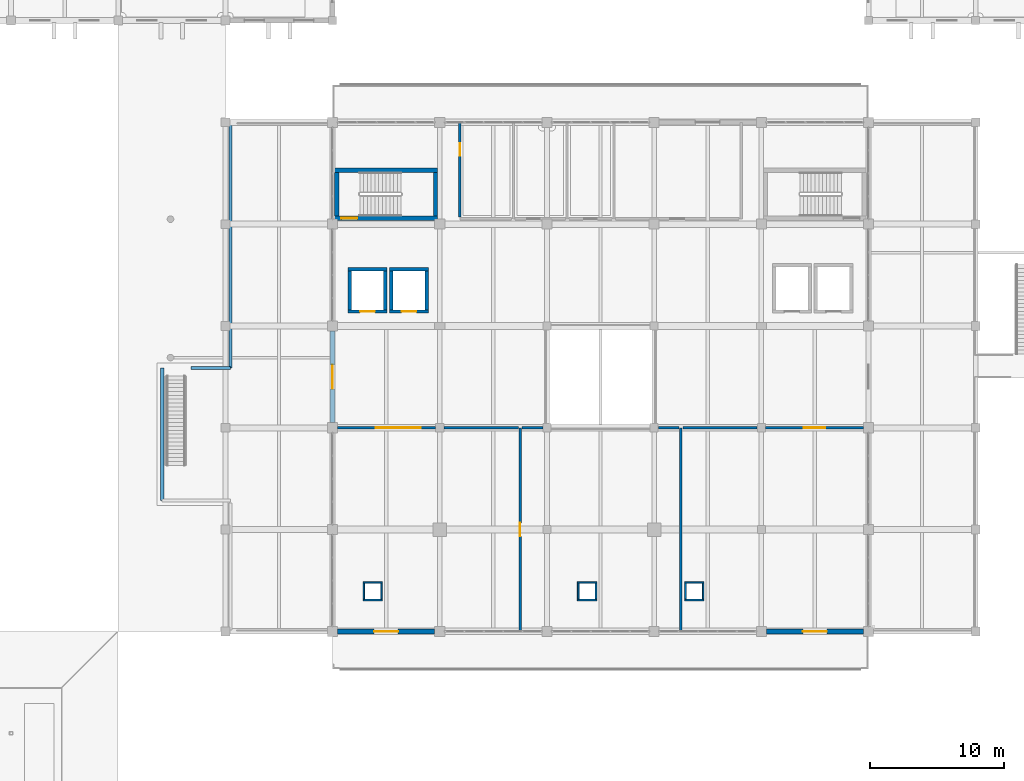
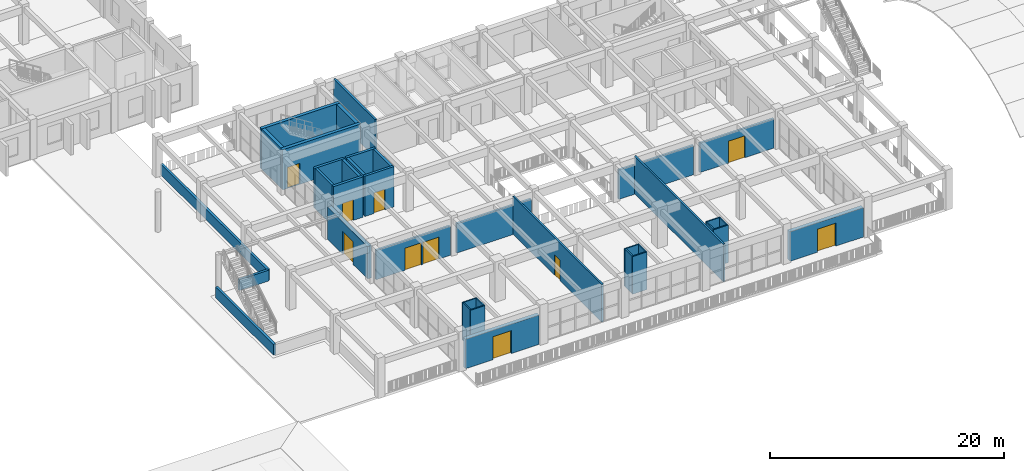
# One storey, part 36 of 63: 39 walls, 11 doors, 11 openings.
"""IFC4 building model written with IfcOpenShell, lengths in metres."""

from ifc_helpers import new_model, si_unit, direction, frame, frame_2d, origin, place, context, subcontext, project, spatial, rectangle, extrude, material, layer, layer_set, type_object, element, fill, save


model = new_model("IFC4")

# Units and contexts
model_context = context("Model", 3, precision=1e-05, world=origin(), true_north=direction((0.0, 1.0)))
body_context = subcontext(model_context, "Body", "Model", "MODEL_VIEW")
ifc_project = project(units=[si_unit("LENGTHUNIT", "METRE"), si_unit("AREAUNIT", "SQUARE_METRE"), si_unit("VOLUMEUNIT", "CUBIC_METRE"), si_unit("PLANEANGLEUNIT", "RADIAN"), si_unit("MASSUNIT", "GRAM", prefix="KILO")], contexts=[model_context])

# Site, building, storey
site_placement = place(None, origin())
site = spatial("IfcSite", under=ifc_project, at=site_placement, CompositionType="ELEMENT")
building_placement = place(site_placement, origin())
building = spatial("IfcBuilding", under=site, at=building_placement, Name="Zantavel Square City Hall", CompositionType="ELEMENT")
storey_placement = place(building_placement, frame((0.0, 0.0, 14.699951171875)))
storey = spatial("IfcBuildingStorey", under=building, at=storey_placement, Name="L04", CompositionType="ELEMENT", Elevation=14.699951171875)

# Walls
ifc_material_1 = material(Name="Cantera volcanic tuff stone", Category="masonry")
ifc_layer_1 = layer(ifc_material_1, 0.239990234375, Name="Cantera volcanic tuff stone")
ifc_layer_set_1 = layer_set([ifc_layer_1], Name="Cantera volcanic tuff stone")
wall_type_1 = type_object("IfcWallType", Name="Cantera Wing Roof Parapet 240mm", PredefinedType="PARAPET", material=ifc_layer_set_1)
wall_1_placement = place(storey_placement, frame((51.280029296875, 40.179931640625, 0.0), z_axis=(0.0, 0.0, 1.0), x_axis=(0.0, 1.0, 0.0)))
element("IfcWall", 1, at=wall_1_placement, inside=storey, type_object=wall_type_1, Name="L04 Roof Parapet Wall 11", PredefinedType="PARAPET", context=body_context, shape_type="SweptSolid", body=[
    extrude(rectangle(XDim=9.89013671875, YDim=0.239990234375, at=frame_2d((4.945068359375, 0.0))), origin(), (0.0, 0.0, 1.0), 1.1201171875),
])
wall_2_placement = place(storey_placement, frame((53.449951171875, 50.070068359375, 0.0), z_axis=(0.0, 0.0, 1.0), x_axis=(1.0, 0.0, 0.0)))
element("IfcWall", 2, at=wall_2_placement, inside=storey, type_object=wall_type_1, Name="L04 Roof Parapet Wall 12", PredefinedType="PARAPET", context=body_context, shape_type="SweptSolid", body=[
    extrude(rectangle(XDim=2.929931640625, YDim=0.239990234375, at=frame_2d((1.46484375, 0.0))), origin(), (0.0, 0.0, 1.0), 1.1201171875),
])
wall_3_placement = place(storey_placement, frame((56.3798828125, 50.070068359375, 0.0), z_axis=(0.0, 0.0, 1.0), x_axis=(0.0, 1.0, 0.0)))
element("IfcWall", 3, at=wall_3_placement, inside=storey, type_object=wall_type_1, Name="L04 Roof Parapet Wall 13", PredefinedType="PARAPET", context=body_context, shape_type="SweptSolid", body=[
    extrude(rectangle(XDim=18.2099609375, YDim=0.239990234375, at=frame_2d((9.10498046875, 0.0))), origin(), (0.0, 0.0, 1.0), 1.1201171875),
])

# Wall, opening, door
ifc_material_2 = material(Name="Concrete C40/50", Category="concrete")
ifc_layer_2 = layer(ifc_material_2, 0.320068359375, Name="Concrete C40/50")
ifc_layer_set_2 = layer_set([ifc_layer_2], Name="Concrete C40/50")
wall_type_2 = type_object("IfcWallType", Name="Core Shear Wall RC 320mm C40/50", PredefinedType="SHEAR", material=ifc_layer_set_2)
wall_4_placement = place(storey_placement, frame((71.85009765625, 61.239990234375, 0.0), z_axis=(0.0, 0.0, 1.0), x_axis=(-1.0, 0.0, 0.0)))
wall_4 = element("IfcWall", 4, at=wall_4_placement, inside=storey, type_object=wall_type_2, Name="L04 Exit Stair 5 Central West Core Shear Wall South", PredefinedType="SHEAR", context=body_context, shape_type="SweptSolid", body=[
    extrude(rectangle(XDim=7.7001953125, YDim=0.320068359375, at=frame_2d((3.85009765625, 0.0))), origin(), (0.0, 0.0, 1.0), 4.199951171875),
])
opening_1_placement = place(wall_4_placement, frame((6.0, 0.0, 0.0)))
opening_1 = element("IfcOpeningElement", 5, at=opening_1_placement, cuts=wall_4, Name="Opening SD-023", PredefinedType="OPENING", context=body_context, shape_type="SweptSolid", body=[
    extrude(rectangle(XDim=1.199951171875, YDim=2.199951171875, at=frame_2d((0.60009765625, 1.10009765625))), frame((0.0, 0.169921875, 0.0), z_axis=(0.0, -1.0, 0.0), x_axis=(1.0, 0.0, 0.0)), (0.0, 0.0, 1.0), 0.340087890625),
])
ifc_material_3 = material(Name="Steel ASTM A500 Grade B", Category="steel")
door_type_1 = type_object("IfcDoorType", Name="Enclosed Exit Stairwell Fire Door 1200x2200 FD90S", OperationType="NOTDEFINED", PredefinedType="DOOR", material=ifc_material_3)
door_1_placement = place(opening_1_placement, origin())
door_1 = element("IfcDoor", 6, at=door_1_placement, inside=storey, type_object=door_type_1, Name="L04 Exit Stair 5 Central West Core Fire Door", OperationType="SINGLE_SWING_LEFT", OverallHeight=2.199951171875, OverallWidth=1.199951171875, PredefinedType="DOOR", context=body_context, shape_type="SweptSolid", body=[
    extrude(rectangle(XDim=1.199951171875, YDim=2.199951171875, at=frame_2d((0.60009765625, 1.10009765625))), frame((0.0, 0.02490234375, 0.0), z_axis=(0.0, -1.0, 0.0), x_axis=(1.0, 0.0, 0.0)), (0.0, 0.0, 1.0), 0.050048828125),
])
fill(opening_1, door_1)

# Walls
wall_5_placement = place(storey_placement, frame((64.31005859375, 61.39990234375, 0.0), z_axis=(0.0, 0.0, 1.0), x_axis=(0.0, 1.0, 0.0)))
element("IfcWall", 7, at=wall_5_placement, inside=storey, type_object=wall_type_2, Name="L04 Exit Stair 5 Central West Core Shear Wall West", PredefinedType="SHEAR", context=body_context, shape_type="SweptSolid", body=[
    extrude(rectangle(XDim=3.27001953125, YDim=0.320068359375, at=frame_2d((1.635009765625, 0.0))), origin(), (0.0, 0.0, 1.0), 4.199951171875),
])
wall_6_placement = place(storey_placement, frame((64.14990234375, 64.830078125, 0.0), z_axis=(0.0, 0.0, 1.0), x_axis=(1.0, 0.0, 0.0)))
element("IfcWall", 8, at=wall_6_placement, inside=storey, type_object=wall_type_2, Name="L04 Exit Stair 5 Central West Core Shear Wall North", PredefinedType="SHEAR", context=body_context, shape_type="SweptSolid", body=[
    extrude(rectangle(XDim=7.7001953125, YDim=0.320068359375, at=frame_2d((3.85009765625, 0.0))), origin(), (0.0, 0.0, 1.0), 4.199951171875),
])
wall_7_placement = place(storey_placement, frame((71.68994140625, 64.669921875, 0.0), z_axis=(0.0, 0.0, 1.0), x_axis=(0.0, -1.0, 0.0)))
element("IfcWall", 9, at=wall_7_placement, inside=storey, type_object=wall_type_2, Name="L04 Exit Stair 5 Central West Core Shear Wall East", PredefinedType="SHEAR", context=body_context, shape_type="SweptSolid", body=[
    extrude(rectangle(XDim=3.27001953125, YDim=0.320068359375, at=frame_2d((1.635009765625, 0.0))), origin(), (0.0, 0.0, 1.0), 4.199951171875),
])

# Wall, opening, door
ifc_material_4 = material(Name="Gypsum acoustic stud assembly", Category="masonry")
ifc_layer_3 = layer(ifc_material_4, 0.179931640625, Name="Gypsum acoustic stud assembly")
ifc_layer_set_3 = layer_set([ifc_layer_3], Name="Gypsum acoustic stud assembly")
wall_type_3 = type_object("IfcWallType", Name="Council Acoustic Partition 180mm", PredefinedType="PARTITIONING", material=ifc_layer_set_3)
wall_8_placement = place(storey_placement, frame((78.0, 45.60009765625, 0.0), z_axis=(0.0, 0.0, 1.0), x_axis=(0.0, -1.0, 0.0)))
wall_8 = element("IfcWall", 10, at=wall_8_placement, inside=storey, type_object=wall_type_3, Name="L04 Interior Wall IW-L04-0313", PredefinedType="PARTITIONING", context=body_context, shape_type="SweptSolid", body=[
    extrude(rectangle(XDim=15.2001953125, YDim=0.179931640625, at=frame_2d((7.60009765625, 0.0))), origin(), (0.0, 0.0, 1.0), 3.929931640625),
])
opening_2_placement = place(wall_8_placement, frame((7.10009765625, 0.0, 0.0)))
opening_2 = element("IfcOpeningElement", 11, at=opening_2_placement, cuts=wall_8, Name="Opening D-0153", PredefinedType="OPENING", context=body_context, shape_type="SweptSolid", body=[
    extrude(rectangle(XDim=1.0, YDim=2.14990234375, at=frame_2d((0.5, 1.074951171875))), frame((0.0, 0.099853515625, 0.0), z_axis=(0.0, -1.0, 0.0), x_axis=(1.0, 0.0, 0.0)), (0.0, 0.0, 1.0), 0.199951171875),
])
ifc_material_5 = material(Name="Solid oak hardwood", Category="wood")
door_type_2 = type_object("IfcDoorType", Name="Suite Internal Oak Single Door 1000x2150", OperationType="NOTDEFINED", PredefinedType="DOOR", material=ifc_material_5)
door_2_placement = place(opening_2_placement, origin())
door_2 = element("IfcDoor", 12, at=door_2_placement, inside=storey, type_object=door_type_2, Name="L04 Urban Development Committee Room Door", OperationType="SINGLE_SWING_LEFT", OverallHeight=2.14990234375, OverallWidth=1.0, PredefinedType="DOOR", context=body_context, shape_type="SweptSolid", body=[
    extrude(rectangle(XDim=1.0, YDim=2.14990234375, at=frame_2d((0.5, 1.074951171875))), frame((0.0, 0.02490234375, 0.0), z_axis=(0.0, -1.0, 0.0), x_axis=(1.0, 0.0, 0.0)), (0.0, 0.0, 1.0), 0.050048828125),
])
fill(opening_2, door_2)

# Wall
wall_9_placement = place(storey_placement, frame((90.0, 45.60009765625, 0.0), z_axis=(0.0, 0.0, 1.0), x_axis=(0.0, -1.0, 0.0)))
element("IfcWall", 13, at=wall_9_placement, inside=storey, type_object=wall_type_3, Name="L04 Interior Wall IW-L04-0316", PredefinedType="PARTITIONING", context=body_context, shape_type="SweptSolid", body=[
    extrude(rectangle(XDim=15.2001953125, YDim=0.179931640625, at=frame_2d((7.60009765625, 0.0))), origin(), (0.0, 0.0, 1.0), 3.929931640625),
])

# Wall, opening, door
ifc_layer_4 = layer(ifc_material_1, 0.199951171875, Name="Cantera volcanic tuff stone")
ifc_layer_set_4 = layer_set([ifc_layer_4], Name="Cantera volcanic tuff stone")
wall_type_4 = type_object("IfcWallType", Name="Exit Corridor Rated Wall 200mm", PredefinedType="STANDARD", material=ifc_layer_set_4)
wall_10_placement = place(storey_placement, frame((73.5, 61.35009765625, 0.0), z_axis=(0.0, 0.0, 1.0), x_axis=(0.0, 1.0, 0.0)))
wall_10 = element("IfcWall", 14, at=wall_10_placement, inside=storey, type_object=wall_type_4, Name="L04 Interior Wall IW-L04-0308", PredefinedType="STANDARD", context=body_context, shape_type="SweptSolid", body=[
    extrude(rectangle(XDim=7.0498046875, YDim=0.199951171875, at=frame_2d((3.52490234375, 0.0))), origin(), (0.0, 0.0, 1.0), 3.929931640625),
])
opening_3_placement = place(wall_10_placement, frame((4.550048828125, 0.0, 0.0)))
opening_3 = element("IfcOpeningElement", 15, at=opening_3_placement, cuts=wall_10, Name="Opening D-0145", PredefinedType="OPENING", context=body_context, shape_type="SweptSolid", body=[
    extrude(rectangle(XDim=0.949951171875, YDim=2.14990234375, at=frame_2d((0.47509765625, 1.074951171875))), frame((0.0, 0.10986328125, 0.0), z_axis=(0.0, -1.0, 0.0), x_axis=(1.0, 0.0, 0.0)), (0.0, 0.0, 1.0), 0.219970703125),
])
door_type_3 = type_object("IfcDoorType", Name="Corridor Restroom Oak Fire Door 950x2150 FD60S", OperationType="NOTDEFINED", PredefinedType="DOOR", material=ifc_material_5)
door_3_placement = place(opening_3_placement, origin())
door_3 = element("IfcDoor", 16, at=door_3_placement, inside=storey, type_object=door_type_3, Name="L04 L04 Mens Restroom Door", OperationType="SINGLE_SWING_LEFT", OverallHeight=2.14990234375, OverallWidth=0.949951171875, PredefinedType="DOOR", context=body_context, shape_type="SweptSolid", body=[
    extrude(rectangle(XDim=0.949951171875, YDim=2.14990234375, at=frame_2d((0.47509765625, 1.074951171875))), frame((0.0, 0.02490234375, 0.0), z_axis=(0.0, -1.0, 0.0), x_axis=(1.0, 0.0, 0.0)), (0.0, 0.0, 1.0), 0.050048828125),
])
fill(opening_3, door_3)

# Wall, openings, doors
wall_11_placement = place(storey_placement, frame((64.385009765625, 45.60009765625, 0.0), z_axis=(0.0, 0.0, 1.0), x_axis=(1.0, 0.0, 0.0)))
wall_11 = element("IfcWall", 17, at=wall_11_placement, inside=storey, type_object=wall_type_4, Name="L04 Interior Wall IW-L04-0314", PredefinedType="STANDARD", context=body_context, shape_type="SweptSolid", body=[
    extrude(rectangle(XDim=7.304931640625, YDim=0.199951171875, at=frame_2d((3.65234375, 0.0))), origin(), (0.0, 0.0, 1.0), 3.070068359375),
])
opening_4_placement = place(wall_11_placement, frame((2.8525390625, 0.0, 0.0)))
opening_4 = element("IfcOpeningElement", 18, at=opening_4_placement, cuts=wall_11, Name="Opening D-0148", PredefinedType="OPENING", context=body_context, shape_type="SweptSolid", body=[
    extrude(rectangle(XDim=1.60009765625, YDim=2.300048828125, at=frame_2d((0.800048828125, 1.14990234375))), frame((0.0, 0.10986328125, 0.0), z_axis=(0.0, -1.0, 0.0), x_axis=(1.0, 0.0, 0.0)), (0.0, 0.0, 1.0), 0.219970703125),
])
opening_5_placement = place(wall_11_placement, frame((4.6025390625, 0.0, 0.0)))
opening_5 = element("IfcOpeningElement", 19, at=opening_5_placement, cuts=wall_11, Name="Opening D-0154", PredefinedType="OPENING", context=body_context, shape_type="SweptSolid", body=[
    extrude(rectangle(XDim=1.60009765625, YDim=2.300048828125, at=frame_2d((0.800048828125, 1.14990234375))), frame((0.0, 0.10986328125, 0.0), z_axis=(0.0, -1.0, 0.0), x_axis=(1.0, 0.0, 0.0)), (0.0, 0.0, 1.0), 0.219970703125),
])
door_type_4 = type_object("IfcDoorType", Name="Committee Suite Fire Double Door 1600x2300 FD60S", OperationType="NOTDEFINED", PredefinedType="DOOR", material=ifc_material_5)
door_4_placement = place(opening_4_placement, origin())
door_4 = element("IfcDoor", 20, at=door_4_placement, inside=storey, type_object=door_type_4, Name="L04 Finance and Budget Committee Room Door", OperationType="DOUBLE_DOOR_SINGLE_SWING", OverallHeight=2.300048828125, OverallWidth=1.60009765625, PredefinedType="DOOR", context=body_context, shape_type="SweptSolid", body=[
    extrude(rectangle(XDim=1.60009765625, YDim=2.300048828125, at=frame_2d((0.800048828125, 1.14990234375))), frame((0.0, 0.02490234375, 0.0), z_axis=(0.0, -1.0, 0.0), x_axis=(1.0, 0.0, 0.0)), (0.0, 0.0, 1.0), 0.050048828125),
])
fill(opening_4, door_4)
door_5_placement = place(opening_5_placement, origin())
door_5 = element("IfcDoor", 21, at=door_5_placement, inside=storey, type_object=door_type_4, Name="L04 Finance and Budget Committee Room Door", OperationType="DOUBLE_DOOR_SINGLE_SWING", OverallHeight=2.300048828125, OverallWidth=1.60009765625, PredefinedType="DOOR", context=body_context, shape_type="SweptSolid", body=[
    extrude(rectangle(XDim=1.60009765625, YDim=2.300048828125, at=frame_2d((0.800048828125, 1.14990234375))), frame((0.0, 0.02490234375, 0.0), z_axis=(0.0, -1.0, 0.0), x_axis=(1.0, 0.0, 0.0)), (0.0, 0.0, 1.0), 0.050048828125),
])
fill(opening_5, door_5)

# Walls
wall_12_placement = place(storey_placement, frame((72.31005859375, 45.60009765625, 0.0), z_axis=(0.0, 0.0, 1.0), x_axis=(1.0, 0.0, 0.0)))
element("IfcWall", 22, at=wall_12_placement, inside=storey, type_object=wall_type_4, Name="L04 Interior Wall IW-L04-0315", PredefinedType="STANDARD", context=body_context, shape_type="SweptSolid", body=[
    extrude(rectangle(XDim=5.550048828125, YDim=0.199951171875, at=frame_2d((2.77490234375, 0.0))), origin(), (0.0, 0.0, 1.0), 3.070068359375),
])
for number, where, z_axis, x_axis, name in (
    (23, (78.139892578125, 45.60009765625, 0.0), (0.0, 0.0, 1.0), (1.0, 0.0, 0.0), "L04 Interior Wall IW-L04-0317"),
    (24, (88.31005859375, 45.60009765625, 0.0), (0.0, 0.0, 1.0), (1.0, 0.0, 0.0), "L04 Interior Wall IW-L04-0318"),
):
    element("IfcWall", number, at=place(storey_placement, frame(where, z_axis=z_axis, x_axis=x_axis)), inside=storey, type_object=wall_type_4, Name=name, PredefinedType="STANDARD", context=body_context, shape_type="SweptSolid", body=[
        extrude(rectangle(XDim=1.550048828125, YDim=0.199951171875, at=frame_2d((0.77490234375, 0.0))), origin(), (0.0, 0.0, 1.0), 3.070068359375),
    ])
wall_13_placement = place(storey_placement, frame((90.139892578125, 45.60009765625, 0.0), z_axis=(0.0, 0.0, 1.0), x_axis=(1.0, 0.0, 0.0)))
element("IfcWall", 25, at=wall_13_placement, inside=storey, type_object=wall_type_4, Name="L04 Interior Wall IW-L04-0319", PredefinedType="STANDARD", context=body_context, shape_type="SweptSolid", body=[
    extrude(rectangle(XDim=5.550048828125, YDim=0.199951171875, at=frame_2d((2.77490234375, 0.0))), origin(), (0.0, 0.0, 1.0), 3.070068359375),
])

# Wall, opening, door
wall_14_placement = place(storey_placement, frame((96.31005859375, 45.60009765625, 0.0), z_axis=(0.0, 0.0, 1.0), x_axis=(1.0, 0.0, 0.0)))
wall_14 = element("IfcWall", 26, at=wall_14_placement, inside=storey, type_object=wall_type_4, Name="L04 Interior Wall IW-L04-0320", PredefinedType="STANDARD", context=body_context, shape_type="SweptSolid", body=[
    extrude(rectangle(XDim=7.304931640625, YDim=0.199951171875, at=frame_2d((3.65234375, 0.0))), origin(), (0.0, 0.0, 1.0), 3.070068359375),
])
opening_6_placement = place(wall_14_placement, frame((2.8525390625, 0.0, 0.0)))
opening_6 = element("IfcOpeningElement", 27, at=opening_6_placement, cuts=wall_14, Name="Opening D-0149", PredefinedType="OPENING", context=body_context, shape_type="SweptSolid", body=[
    extrude(rectangle(XDim=1.60009765625, YDim=2.300048828125, at=frame_2d((0.800048828125, 1.14990234375))), frame((0.0, 0.10986328125, 0.0), z_axis=(0.0, -1.0, 0.0), x_axis=(1.0, 0.0, 0.0)), (0.0, 0.0, 1.0), 0.219970703125),
])
door_6_placement = place(opening_6_placement, origin())
door_6 = element("IfcDoor", 28, at=door_6_placement, inside=storey, type_object=door_type_4, Name="L04 Governance and Bylaws Committee Room Door", OperationType="DOUBLE_DOOR_SINGLE_SWING", OverallHeight=2.300048828125, OverallWidth=1.60009765625, PredefinedType="DOOR", context=body_context, shape_type="SweptSolid", body=[
    extrude(rectangle(XDim=1.60009765625, YDim=2.300048828125, at=frame_2d((0.800048828125, 1.14990234375))), frame((0.0, 0.02490234375, 0.0), z_axis=(0.0, -1.0, 0.0), x_axis=(1.0, 0.0, 0.0)), (0.0, 0.0, 1.0), 0.050048828125),
])
fill(opening_6, door_6)

ifc_layer_5 = layer(ifc_material_2, 0.25, Name="Concrete C40/50")
ifc_layer_set_5 = layer_set([ifc_layer_5], Name="Concrete C40/50")
wall_type_5 = type_object("IfcWallType", Name="Lift Shaft Wall RC 250mm C40/50", PredefinedType="SHEAR", material=ifc_layer_set_5)
wall_15_placement = place(storey_placement, frame((68.050048828125, 54.27490234375, 0.0), z_axis=(0.0, 0.0, 1.0), x_axis=(-1.0, 0.0, 0.0)))
wall_15 = element("IfcWall", 29, at=wall_15_placement, inside=storey, type_object=wall_type_5, Name="L04 Lift LF01 Shaft Wall South", PredefinedType="SHEAR", context=body_context, shape_type="SweptSolid", body=[
    extrude(rectangle(XDim=2.900146484375, YDim=0.25, at=frame_2d((1.4501953125, 0.0))), origin(), (0.0, 0.0, 1.0), 4.199951171875),
])
opening_7_placement = place(wall_15_placement, frame((0.89990234375, 0.0, 0.0)))
opening_7 = element("IfcOpeningElement", 30, at=opening_7_placement, cuts=wall_15, Name="Opening LD-LF01-L04", PredefinedType="OPENING", context=body_context, shape_type="SweptSolid", body=[
    extrude(rectangle(XDim=1.10009765625, YDim=2.14990234375, at=frame_2d((0.550048828125, 1.074951171875))), frame((0.0, 0.135009765625, 0.0), z_axis=(0.0, -1.0, 0.0), x_axis=(1.0, 0.0, 0.0)), (0.0, 0.0, 1.0), 0.27001953125),
])
ifc_material_6 = material(Name="Stainless steel 316", Category="steel")
door_type_5 = type_object("IfcDoorType", Name="Lift Landing Sliding Door 1100x2150 FD90S", OperationType="NOTDEFINED", PredefinedType="DOOR", material=ifc_material_6)
door_7_placement = place(opening_7_placement, origin())
door_7 = element("IfcDoor", 31, at=door_7_placement, inside=storey, type_object=door_type_5, Name="L04 Lift LF01 Sliding Landing Door", OperationType="DOUBLE_DOOR_SLIDING", OverallHeight=2.14990234375, OverallWidth=1.10009765625, PredefinedType="DOOR", context=body_context, shape_type="SweptSolid", body=[
    extrude(rectangle(XDim=1.10009765625, YDim=2.14990234375, at=frame_2d((0.550048828125, 1.074951171875))), frame((0.0, 0.02490234375, 0.0), z_axis=(0.0, -1.0, 0.0), x_axis=(1.0, 0.0, 0.0)), (0.0, 0.0, 1.0), 0.050048828125),
])
fill(opening_7, door_7)

# Walls
for number, where, z_axis, x_axis, name in (
    (32, (65.27490234375, 54.39990234375, 0.0), (0.0, 0.0, 1.0), (0.0, 1.0, 0.0), "L04 Lift LF01 Shaft Wall West"),
    (33, (65.14990234375, 57.425048828125, 0.0), (0.0, 0.0, 1.0), (1.0, 0.0, 0.0), "L04 Lift LF01 Shaft Wall North"),
    (34, (67.925048828125, 57.300048828125, 0.0), (0.0, 0.0, 1.0), (0.0, -1.0, 0.0), "L04 Lift LF01 Shaft Wall East"),
):
    element("IfcWall", number, at=place(storey_placement, frame(where, z_axis=z_axis, x_axis=x_axis)), inside=storey, type_object=wall_type_5, Name=name, PredefinedType="SHEAR", context=body_context, shape_type="SweptSolid", body=[
        extrude(rectangle(XDim=2.900146484375, YDim=0.25, at=frame_2d((1.4501953125, 0.0))), origin(), (0.0, 0.0, 1.0), 4.199951171875),
    ])

# Wall, opening, door
wall_16_placement = place(storey_placement, frame((71.14990234375, 54.27490234375, 0.0), z_axis=(0.0, 0.0, 1.0), x_axis=(-1.0, 0.0, 0.0)))
wall_16 = element("IfcWall", 35, at=wall_16_placement, inside=storey, type_object=wall_type_5, Name="L04 Lift LF02 Shaft Wall South", PredefinedType="SHEAR", context=body_context, shape_type="SweptSolid", body=[
    extrude(rectangle(XDim=2.89990234375, YDim=0.25, at=frame_2d((1.449951171875, 0.0))), origin(), (0.0, 0.0, 1.0), 4.199951171875),
])
opening_8_placement = place(wall_16_placement, frame((0.89990234375, 0.0, 0.0)))
opening_8 = element("IfcOpeningElement", 36, at=opening_8_placement, cuts=wall_16, Name="Opening LD-LF02-L04", PredefinedType="OPENING", context=body_context, shape_type="SweptSolid", body=[
    extrude(rectangle(XDim=1.10009765625, YDim=2.14990234375, at=frame_2d((0.550048828125, 1.074951171875))), frame((0.0, 0.135009765625, 0.0), z_axis=(0.0, -1.0, 0.0), x_axis=(1.0, 0.0, 0.0)), (0.0, 0.0, 1.0), 0.27001953125),
])
door_8_placement = place(opening_8_placement, origin())
door_8 = element("IfcDoor", 37, at=door_8_placement, inside=storey, type_object=door_type_5, Name="L04 Lift LF02 Sliding Landing Door", OperationType="DOUBLE_DOOR_SLIDING", OverallHeight=2.14990234375, OverallWidth=1.10009765625, PredefinedType="DOOR", context=body_context, shape_type="SweptSolid", body=[
    extrude(rectangle(XDim=1.10009765625, YDim=2.14990234375, at=frame_2d((0.550048828125, 1.074951171875))), frame((0.0, 0.02490234375, 0.0), z_axis=(0.0, -1.0, 0.0), x_axis=(1.0, 0.0, 0.0)), (0.0, 0.0, 1.0), 0.050048828125),
])
fill(opening_8, door_8)

# Walls
wall_17_placement = place(storey_placement, frame((68.375, 54.39990234375, 0.0), z_axis=(0.0, 0.0, 1.0), x_axis=(0.0, 1.0, 0.0)))
element("IfcWall", 38, at=wall_17_placement, inside=storey, type_object=wall_type_5, Name="L04 Lift LF02 Shaft Wall West", PredefinedType="SHEAR", context=body_context, shape_type="SweptSolid", body=[
    extrude(rectangle(XDim=2.900146484375, YDim=0.25, at=frame_2d((1.4501953125, 0.0))), origin(), (0.0, 0.0, 1.0), 4.199951171875),
])
wall_18_placement = place(storey_placement, frame((68.25, 57.425048828125, 0.0), z_axis=(0.0, 0.0, 1.0), x_axis=(1.0, 0.0, 0.0)))
element("IfcWall", 39, at=wall_18_placement, inside=storey, type_object=wall_type_5, Name="L04 Lift LF02 Shaft Wall North", PredefinedType="SHEAR", context=body_context, shape_type="SweptSolid", body=[
    extrude(rectangle(XDim=2.89990234375, YDim=0.25, at=frame_2d((1.449951171875, 0.0))), origin(), (0.0, 0.0, 1.0), 4.199951171875),
])
wall_19_placement = place(storey_placement, frame((71.02490234375, 57.300048828125, 0.0), z_axis=(0.0, 0.0, 1.0), x_axis=(0.0, -1.0, 0.0)))
element("IfcWall", 40, at=wall_19_placement, inside=storey, type_object=wall_type_5, Name="L04 Lift LF02 Shaft Wall East", PredefinedType="SHEAR", context=body_context, shape_type="SweptSolid", body=[
    extrude(rectangle(XDim=2.900146484375, YDim=0.25, at=frame_2d((1.4501953125, 0.0))), origin(), (0.0, 0.0, 1.0), 4.199951171875),
])
ifc_material_7 = material(Name="Concrete C35/45", Category="concrete")
ifc_layer_6 = layer(ifc_material_7, 0.1201171875, Name="Concrete C35/45")
ifc_layer_set_6 = layer_set([ifc_layer_6], Name="Concrete C35/45")
wall_type_6 = type_object("IfcWallType", Name="Riser Chase Wall RC 120mm C35/45", PredefinedType="PARTITIONING", material=ifc_layer_set_6)
wall_20_placement = place(storey_placement, frame((67.719970703125, 32.739990234375, 0.0), z_axis=(0.0, 0.0, 1.0), x_axis=(-1.0, 0.0, 0.0)))
element("IfcWall", 41, at=wall_20_placement, inside=storey, type_object=wall_type_6, Name="L04 MEP Riser 01 Wall S", PredefinedType="PARTITIONING", context=body_context, shape_type="SweptSolid", body=[
    extrude(rectangle(XDim=1.43994140625, YDim=0.1201171875, at=frame_2d((0.719970703125, 0.0))), origin(), (0.0, 0.0, 1.0), 3.929931640625),
])
wall_21_placement = place(storey_placement, frame((66.340087890625, 32.800048828125, 0.0), z_axis=(0.0, 0.0, 1.0), x_axis=(0.0, 1.0, 0.0)))
element("IfcWall", 42, at=wall_21_placement, inside=storey, type_object=wall_type_6, Name="L04 MEP Riser 01 Wall W", PredefinedType="PARTITIONING", context=body_context, shape_type="SweptSolid", body=[
    extrude(rectangle(XDim=1.199951171875, YDim=0.1201171875, at=frame_2d((0.60009765625, 0.0))), origin(), (0.0, 0.0, 1.0), 3.929931640625),
])
wall_22_placement = place(storey_placement, frame((66.280029296875, 34.06005859375, 0.0), z_axis=(0.0, 0.0, 1.0), x_axis=(1.0, 0.0, 0.0)))
element("IfcWall", 43, at=wall_22_placement, inside=storey, type_object=wall_type_6, Name="L04 MEP Riser 01 Wall N", PredefinedType="PARTITIONING", context=body_context, shape_type="SweptSolid", body=[
    extrude(rectangle(XDim=1.43994140625, YDim=0.1201171875, at=frame_2d((0.719970703125, 0.0))), origin(), (0.0, 0.0, 1.0), 3.929931640625),
])
wall_23_placement = place(storey_placement, frame((67.659912109375, 34.0, 0.0), z_axis=(0.0, 0.0, 1.0), x_axis=(0.0, -1.0, 0.0)))
element("IfcWall", 44, at=wall_23_placement, inside=storey, type_object=wall_type_6, Name="L04 MEP Riser 01 Wall E", PredefinedType="PARTITIONING", context=body_context, shape_type="SweptSolid", body=[
    extrude(rectangle(XDim=1.199951171875, YDim=0.1201171875, at=frame_2d((0.60009765625, 0.0))), origin(), (0.0, 0.0, 1.0), 3.929931640625),
])
wall_24_placement = place(storey_placement, frame((83.719970703125, 32.739990234375, 0.0), z_axis=(0.0, 0.0, 1.0), x_axis=(-1.0, 0.0, 0.0)))
element("IfcWall", 45, at=wall_24_placement, inside=storey, type_object=wall_type_6, Name="L04 MEP Riser 02 Wall S", PredefinedType="PARTITIONING", context=body_context, shape_type="SweptSolid", body=[
    extrude(rectangle(XDim=1.43994140625, YDim=0.1201171875, at=frame_2d((0.719970703125, 0.0))), origin(), (0.0, 0.0, 1.0), 3.929931640625),
])
wall_25_placement = place(storey_placement, frame((82.340087890625, 32.800048828125, 0.0), z_axis=(0.0, 0.0, 1.0), x_axis=(0.0, 1.0, 0.0)))
element("IfcWall", 46, at=wall_25_placement, inside=storey, type_object=wall_type_6, Name="L04 MEP Riser 02 Wall W", PredefinedType="PARTITIONING", context=body_context, shape_type="SweptSolid", body=[
    extrude(rectangle(XDim=1.199951171875, YDim=0.1201171875, at=frame_2d((0.60009765625, 0.0))), origin(), (0.0, 0.0, 1.0), 3.929931640625),
])
wall_26_placement = place(storey_placement, frame((82.280029296875, 34.06005859375, 0.0), z_axis=(0.0, 0.0, 1.0), x_axis=(1.0, 0.0, 0.0)))
element("IfcWall", 47, at=wall_26_placement, inside=storey, type_object=wall_type_6, Name="L04 MEP Riser 02 Wall N", PredefinedType="PARTITIONING", context=body_context, shape_type="SweptSolid", body=[
    extrude(rectangle(XDim=1.43994140625, YDim=0.1201171875, at=frame_2d((0.719970703125, 0.0))), origin(), (0.0, 0.0, 1.0), 3.929931640625),
])
wall_27_placement = place(storey_placement, frame((83.659912109375, 34.0, 0.0), z_axis=(0.0, 0.0, 1.0), x_axis=(0.0, -1.0, 0.0)))
element("IfcWall", 48, at=wall_27_placement, inside=storey, type_object=wall_type_6, Name="L04 MEP Riser 02 Wall E", PredefinedType="PARTITIONING", context=body_context, shape_type="SweptSolid", body=[
    extrude(rectangle(XDim=1.199951171875, YDim=0.1201171875, at=frame_2d((0.60009765625, 0.0))), origin(), (0.0, 0.0, 1.0), 3.929931640625),
])
wall_28_placement = place(storey_placement, frame((91.719970703125, 32.739990234375, 0.0), z_axis=(0.0, 0.0, 1.0), x_axis=(-1.0, 0.0, 0.0)))
element("IfcWall", 49, at=wall_28_placement, inside=storey, type_object=wall_type_6, Name="L04 MEP Riser 03 Wall S", PredefinedType="PARTITIONING", context=body_context, shape_type="SweptSolid", body=[
    extrude(rectangle(XDim=1.43994140625, YDim=0.1201171875, at=frame_2d((0.719970703125, 0.0))), origin(), (0.0, 0.0, 1.0), 3.929931640625),
])
wall_29_placement = place(storey_placement, frame((90.340087890625, 32.800048828125, 0.0), z_axis=(0.0, 0.0, 1.0), x_axis=(0.0, 1.0, 0.0)))
element("IfcWall", 50, at=wall_29_placement, inside=storey, type_object=wall_type_6, Name="L04 MEP Riser 03 Wall W", PredefinedType="PARTITIONING", context=body_context, shape_type="SweptSolid", body=[
    extrude(rectangle(XDim=1.199951171875, YDim=0.1201171875, at=frame_2d((0.60009765625, 0.0))), origin(), (0.0, 0.0, 1.0), 3.929931640625),
])
wall_30_placement = place(storey_placement, frame((90.280029296875, 34.06005859375, 0.0), z_axis=(0.0, 0.0, 1.0), x_axis=(1.0, 0.0, 0.0)))
element("IfcWall", 51, at=wall_30_placement, inside=storey, type_object=wall_type_6, Name="L04 MEP Riser 03 Wall N", PredefinedType="PARTITIONING", context=body_context, shape_type="SweptSolid", body=[
    extrude(rectangle(XDim=1.43994140625, YDim=0.1201171875, at=frame_2d((0.719970703125, 0.0))), origin(), (0.0, 0.0, 1.0), 3.929931640625),
])
wall_31_placement = place(storey_placement, frame((91.659912109375, 34.0, 0.0), z_axis=(0.0, 0.0, 1.0), x_axis=(0.0, -1.0, 0.0)))
element("IfcWall", 52, at=wall_31_placement, inside=storey, type_object=wall_type_6, Name="L04 MEP Riser 03 Wall E", PredefinedType="PARTITIONING", context=body_context, shape_type="SweptSolid", body=[
    extrude(rectangle(XDim=1.199951171875, YDim=0.1201171875, at=frame_2d((0.60009765625, 0.0))), origin(), (0.0, 0.0, 1.0), 3.929931640625),
])

# Wall, opening, door
ifc_material_8 = material(Name="White cantera volcanic tuff stone", Category="masonry")
ifc_layer_7 = layer(ifc_material_8, 0.3798828125, Name="White cantera volcanic tuff stone")
ifc_layer_set_7 = layer_set([ifc_layer_7], Name="White cantera volcanic tuff stone")
wall_type_7 = type_object("IfcWallType", Name="White Cantera Tray Facade Wall 380mm", PredefinedType="STANDARD", material=ifc_layer_set_7)
wall_32_placement = place(storey_placement, frame((103.625, 30.39990234375, 0.0), z_axis=(0.0, 0.0, 1.0), x_axis=(-1.0, 0.0, 0.0)))
wall_32 = element("IfcWall", 53, at=wall_32_placement, inside=storey, type_object=wall_type_7, Name="L04 Exterior Wall EW-L04-011", PredefinedType="STANDARD", context=body_context, shape_type="SweptSolid", body=[
    extrude(rectangle(XDim=7.25, YDim=0.3798828125, at=frame_2d((3.625, 0.0))), origin(), (0.0, 0.0, 1.0), 3.070068359375),
])
opening_9_placement = place(wall_32_placement, frame((2.72509765625, 0.0, 0.0)))
opening_9 = element("IfcOpeningElement", 54, at=opening_9_placement, cuts=wall_32, Name="Opening ED-029", PredefinedType="OPENING", context=body_context, shape_type="SweptSolid", body=[
    extrude(rectangle(XDim=1.800048828125, YDim=2.39990234375, at=frame_2d((0.89990234375, 1.199951171875))), frame((0.0, 0.199951171875, 0.0), z_axis=(0.0, -1.0, 0.0), x_axis=(1.0, 0.0, 0.0)), (0.0, 0.0, 1.0), 0.39990234375),
])
ifc_material_9 = material(Name="Anodised aluminium 6063-T6", Category="aluminium")
door_type_6 = type_object("IfcDoorType", Name="Tray Terrace Glazed Double Door 1800x2400", OperationType="NOTDEFINED", PredefinedType="DOOR", material=ifc_material_9)
door_9_placement = place(opening_9_placement, origin())
door_9 = element("IfcDoor", 55, at=door_9_placement, inside=storey, type_object=door_type_6, Name="L04 South Cantera Tray East Door", OperationType="DOUBLE_DOOR_SINGLE_SWING", OverallHeight=2.39990234375, OverallWidth=1.800048828125, PredefinedType="DOOR", context=body_context, shape_type="SweptSolid", body=[
    extrude(rectangle(XDim=1.800048828125, YDim=2.39990234375, at=frame_2d((0.89990234375, 1.199951171875))), frame((0.0, 0.02490234375, 0.0), z_axis=(0.0, -1.0, 0.0), x_axis=(1.0, 0.0, 0.0)), (0.0, 0.0, 1.0), 0.050048828125),
])
fill(opening_9, door_9)

wall_33_placement = place(storey_placement, frame((71.625, 30.39990234375, 0.0), z_axis=(0.0, 0.0, 1.0), x_axis=(-1.0, 0.0, 0.0)))
wall_33 = element("IfcWall", 56, at=wall_33_placement, inside=storey, type_object=wall_type_7, Name="L04 Exterior Wall EW-L04-015", PredefinedType="STANDARD", context=body_context, shape_type="SweptSolid", body=[
    extrude(rectangle(XDim=7.25, YDim=0.3798828125, at=frame_2d((3.625, 0.0))), origin(), (0.0, 0.0, 1.0), 3.070068359375),
])
opening_10_placement = place(wall_33_placement, frame((2.72509765625, 0.0, 0.0)))
opening_10 = element("IfcOpeningElement", 57, at=opening_10_placement, cuts=wall_33, Name="Opening ED-030", PredefinedType="OPENING", context=body_context, shape_type="SweptSolid", body=[
    extrude(rectangle(XDim=1.800048828125, YDim=2.39990234375, at=frame_2d((0.89990234375, 1.199951171875))), frame((0.0, 0.199951171875, 0.0), z_axis=(0.0, -1.0, 0.0), x_axis=(1.0, 0.0, 0.0)), (0.0, 0.0, 1.0), 0.39990234375),
])
door_10_placement = place(opening_10_placement, origin())
door_10 = element("IfcDoor", 58, at=door_10_placement, inside=storey, type_object=door_type_6, Name="L04 South Cantera Tray West Door", OperationType="DOUBLE_DOOR_SINGLE_SWING", OverallHeight=2.39990234375, OverallWidth=1.800048828125, PredefinedType="DOOR", context=body_context, shape_type="SweptSolid", body=[
    extrude(rectangle(XDim=1.800048828125, YDim=2.39990234375, at=frame_2d((0.89990234375, 1.199951171875))), frame((0.0, 0.02490234375, 0.0), z_axis=(0.0, -1.0, 0.0), x_axis=(1.0, 0.0, 0.0)), (0.0, 0.0, 1.0), 0.050048828125),
])
fill(opening_10, door_10)

wall_34_placement = place(storey_placement, frame((64.0, 45.97509765625, 0.0), z_axis=(0.0, 0.0, 1.0), x_axis=(0.0, 1.0, 0.0)))
wall_34 = element("IfcWall", 59, at=wall_34_placement, inside=storey, type_object=wall_type_7, Name="L04 Exterior Wall EW-L04-018", PredefinedType="STANDARD", context=body_context, shape_type="SweptSolid", body=[
    extrude(rectangle(XDim=6.849853515625, YDim=0.3798828125, at=frame_2d((3.4248046875, 0.0))), origin(), (0.0, 0.0, 1.0), 3.3701171875),
])
opening_11_placement = place(wall_34_placement, frame((2.52490234375, 0.0, 0.0)))
opening_11 = element("IfcOpeningElement", 60, at=opening_11_placement, cuts=wall_34, Name="Opening ED-031", PredefinedType="OPENING", context=body_context, shape_type="SweptSolid", body=[
    extrude(rectangle(XDim=1.800048828125, YDim=2.39990234375, at=frame_2d((0.89990234375, 1.199951171875))), frame((0.0, 0.199951171875, 0.0), z_axis=(0.0, -1.0, 0.0), x_axis=(1.0, 0.0, 0.0)), (0.0, 0.0, 1.0), 0.39990234375),
])
door_11_placement = place(opening_11_placement, origin())
door_11 = element("IfcDoor", 61, at=door_11_placement, inside=storey, type_object=door_type_6, Name="L04 West Step-In Terrace Door", OperationType="DOUBLE_DOOR_SINGLE_SWING", OverallHeight=2.39990234375, OverallWidth=1.800048828125, PredefinedType="DOOR", context=body_context, shape_type="SweptSolid", body=[
    extrude(rectangle(XDim=1.800048828125, YDim=2.39990234375, at=frame_2d((0.89990234375, 1.199951171875))), frame((0.0, 0.02490234375, 0.0), z_axis=(0.0, -1.0, 0.0), x_axis=(1.0, 0.0, 0.0)), (0.0, 0.0, 1.0), 0.050048828125),
])
fill(opening_11, door_11)

save(model, "model.ifc")
